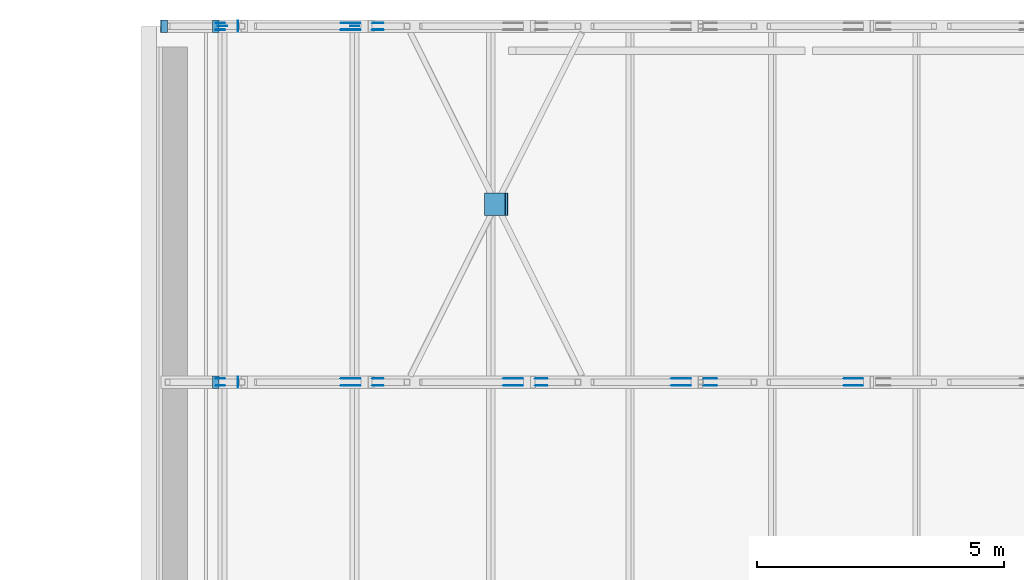
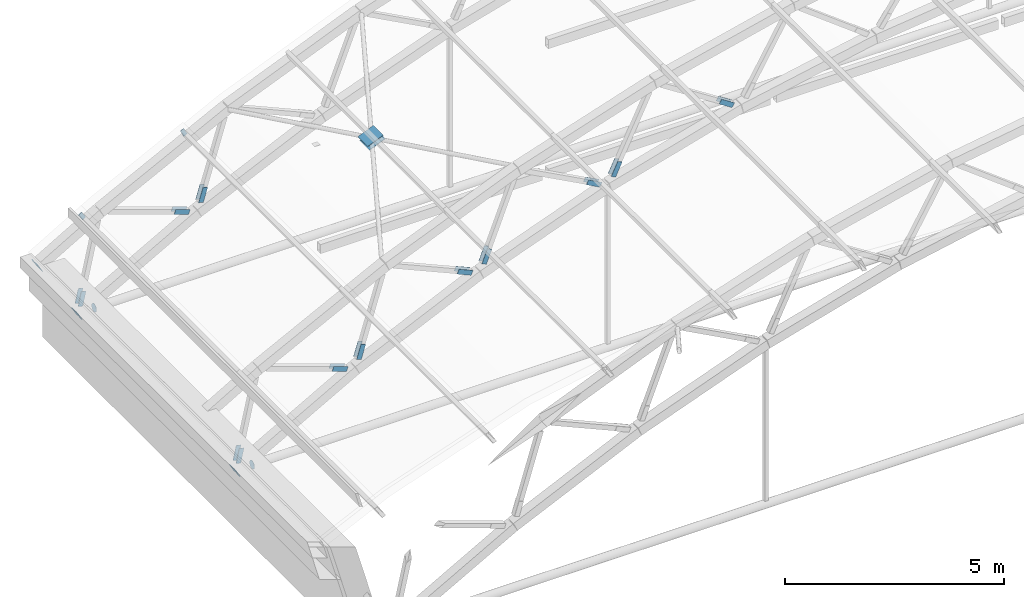
# One storey, part 90 of 127: 31 discrete accessories.
"""IFC4 building model written with IfcOpenShell, lengths in metres."""

import ifcopenshell
import ifcopenshell.guid

model = None  # the IFC model being written
_history = None  # IfcOwnerHistory: only IFC2X3 demands one
_inside = {}  # id of a spatial element -> (the spatial element, [elements in it])
_under = {}  # id of a project, library or spatial element -> (it, [spatial elements below it])
_declared = {}  # id of a project -> (the project, [libraries it declares])
_typed = {}  # id of a type object -> (the type object, [elements of that type])
_made_of = {}  # id of a material, layer set ... -> (it, [elements and type objects made of it])


def new_model(schema):
    """Start an empty IFC model of exactly this schema.

    Asked for "IFC4X3", IfcOpenShell would pick the latest addendum, in which some entities
    have other attributes; the version numbers below select the first issue.
    IFC2X3 requires an IfcOwnerHistory on every rooted entity: one is made here for all.
    """
    global model, _history
    if schema == "IFC4X3":
        model = ifcopenshell.file(schema_version=(4, 3, 0, 0))
    else:
        model = ifcopenshell.file(schema=schema)
    _inside.clear()
    _under.clear()
    _declared.clear()
    _typed.clear()
    _made_of.clear()
    _history = None
    if model.schema == "IFC2X3":
        org = make("IfcOrganization", Name="unknown")
        user = make(
            "IfcPersonAndOrganization",
            ThePerson=make("IfcPerson", FamilyName="unknown"),
            TheOrganization=org,
        )
        app = make(
            "IfcApplication",
            ApplicationDeveloper=org,
            Version="unknown",
            ApplicationFullName="unknown",
            ApplicationIdentifier="unknown",
        )
        _history = make(
            "IfcOwnerHistory",
            OwningUser=user,
            OwningApplication=app,
            ChangeAction="ADDED",
            CreationDate=0,
        )
    return model


def make(cls, **values):
    """One entity of the class cls with the attributes given. An attribute that is None is left unset."""
    return model.create_entity(
        cls, **{name: value for name, value in values.items() if value is not None}
    )


def rooted(cls, **values):
    """An entity with a GlobalId (a new one), such as an element, a storey or a relation."""
    return make(cls, GlobalId=ifcopenshell.guid.new(), OwnerHistory=_history, **values)


def si_unit(unit_type, name, prefix=None):
    """IfcSIUnit, for example si_unit("LENGTHUNIT", "METRE", prefix="MILLI")."""
    return make("IfcSIUnit", UnitType=unit_type, Prefix=prefix, Name=name)


def assignment(units):
    """IfcUnitAssignment: the units of a project."""
    return None if units is None else make("IfcUnitAssignment", Units=units)


def point(xyz):
    """IfcCartesianPoint."""
    return None if xyz is None else make("IfcCartesianPoint", Coordinates=xyz)


def direction(xyz):
    """IfcDirection."""
    return None if xyz is None else make("IfcDirection", DirectionRatios=xyz)


def frame(location, z_axis=None, x_axis=None):
    """IfcAxis2Placement3D, a coordinate frame: its origin and axes. An axis left out is left unset."""
    return make(
        "IfcAxis2Placement3D",
        Location=point(location),
        Axis=direction(z_axis),
        RefDirection=direction(x_axis),
    )


def frame_2d(location, x_axis=None):
    """IfcAxis2Placement2D, a coordinate frame in the plane: its origin and x axis."""
    return make(
        "IfcAxis2Placement2D", Location=point(location), RefDirection=direction(x_axis)
    )


def origin():
    """The frame at (0, 0, 0) with its axes left unset."""
    return frame((0.0, 0.0, 0.0))


def origin_2d():
    """The frame at (0, 0) in the plane with its x axis left unset."""
    return frame_2d((0.0, 0.0))


def place(relative_to, where):
    """IfcLocalPlacement: puts the frame where relative to a parent placement (None: the world)."""
    return make(
        "IfcLocalPlacement", PlacementRelTo=relative_to, RelativePlacement=where
    )


def context(
    kind, dimensions, precision=None, world=None, true_north=None, identifier=None
):
    """IfcGeometricRepresentationContext, for example the 3D "Model" context."""
    return make(
        "IfcGeometricRepresentationContext",
        ContextIdentifier=identifier,
        ContextType=kind,
        CoordinateSpaceDimension=dimensions,
        Precision=precision,
        WorldCoordinateSystem=world,
        TrueNorth=true_north,
    )


def subcontext(parent, identifier, kind, view, scale=None):
    """IfcGeometricRepresentationSubContext, for example "Body" below "Model"."""
    return make(
        "IfcGeometricRepresentationSubContext",
        ContextIdentifier=identifier,
        ContextType=kind,
        ParentContext=parent,
        TargetScale=scale,
        TargetView=view,
    )


def project(units=None, contexts=None):
    """IfcProject with its units and contexts."""
    return rooted(
        "IfcProject",
        Name="project",
        RepresentationContexts=contexts,
        UnitsInContext=assignment(units),
    )


def spatial(cls, under=None, at=None, **own):
    """A site, building, storey or space (cls), placed at a placement, below another one or the project."""
    s = rooted(cls, ObjectPlacement=at, **own)
    if under is not None:
        _under.setdefault(under.id(), (under, []))[1].append(s)
    return s


def profile(cls, at=None, kind="AREA", **sizes):
    """A parametric profile (cls). Its sizes go by their IFC names, for example OverallWidth=200.0."""
    return make(cls, ProfileType=kind, Position=at, **sizes)


def rectangle(**sizes):
    """IfcRectangleProfileDef."""
    return profile("IfcRectangleProfileDef", **sizes)


def circle(**sizes):
    """IfcCircleProfileDef."""
    return profile("IfcCircleProfileDef", **sizes)


def extrude(swept, where, along, depth):
    """IfcExtrudedAreaSolid: the profile swept, set in the frame where, extruded along a direction by depth."""
    return make(
        "IfcExtrudedAreaSolid",
        SweptArea=swept,
        Position=where,
        ExtrudedDirection=direction(along),
        Depth=depth,
    )


def shape(context_of_items, identifier, shape_type, items):
    """IfcShapeRepresentation: the items that make up one representation, for example the "Body"."""
    return make(
        "IfcShapeRepresentation",
        ContextOfItems=context_of_items,
        RepresentationIdentifier=identifier,
        RepresentationType=shape_type,
        Items=items,
    )


def material(Name=None, Category=None):
    """IfcMaterial."""
    return make("IfcMaterial", Name=Name, Category=Category)


def material_profile(
    of_material, cross_section, Name=None, Category=None, Priority=None
):
    """IfcMaterialProfile: a cross section and its material."""
    return make(
        "IfcMaterialProfile",
        Name=Name,
        Material=of_material,
        Profile=cross_section,
        Priority=Priority,
        Category=Category,
    )


def profile_set(profiles, Name=None, composite=None):
    """IfcMaterialProfileSet."""
    return make(
        "IfcMaterialProfileSet",
        Name=Name,
        MaterialProfiles=profiles,
        CompositeProfile=composite,
    )


def made_of(thing, what):
    """Note that an element or type object is made of a material, layer set ...; save() writes the relation."""
    if what is not None:
        _made_of.setdefault(what.id(), (what, []))[1].append(thing)
    return thing


def type_object(cls, material=None, **own):
    """A type object (cls), such as IfcWallType, which elements share."""
    return made_of(rooted(cls, **own), material)


def element(
    cls,
    number,
    at=None,
    inside=None,
    cuts=None,
    type_object=None,
    material=None,
    context=None,
    identifier="Body",
    shape_type=None,
    held_by="IfcProductDefinitionShape",
    body=None,
    shapes=None,
    **own,
):
    """One element of the class cls, such as IfcWall. Its Tag is "e" and its number.

    at: its placement. inside: the storey or other place that contains it. cuts: it is an
    opening in that element (IfcRelVoidsElement). A single representation is given by context,
    identifier, shape_type and body (its items); several are given by shapes. held_by: the class
    of the entity that holds the representations. save() writes the other relations.
    """
    e = rooted(cls, Tag="e%d" % number, ObjectPlacement=at, **own)
    if body is not None:
        shapes = [shape(context, identifier, shape_type, body)]
    if shapes is not None:
        e.Representation = make(held_by, Representations=shapes)
    if inside is not None:
        _inside.setdefault(inside.id(), (inside, []))[1].append(e)
    if cuts is not None:
        rooted(
            "IfcRelVoidsElement", RelatingBuildingElement=cuts, RelatedOpeningElement=e
        )
    if type_object is not None:
        _typed.setdefault(type_object.id(), (type_object, []))[1].append(e)
    return made_of(e, material)


def aggregate(whole, parts):
    """IfcRelAggregates: a whole, such as a stair, and the parts it consists of."""
    return rooted("IfcRelAggregates", RelatingObject=whole, RelatedObjects=parts)


def save(model, path):
    """Write the relations noted so far, then the file.

    IfcRelAggregates (storeys below a building ...), IfcRelContainedInSpatialStructure (elements
    in a storey), IfcRelDefinesByType, IfcRelAssociatesMaterial and IfcRelDeclares: one each for
    every whole, place, type object, material and project.
    """
    for whole, parts in _under.values():
        aggregate(whole, parts)
    for where, things in _inside.values():
        rooted(
            "IfcRelContainedInSpatialStructure",
            RelatedElements=things,
            RelatingStructure=where,
        )
    for kind, things in _typed.values():
        rooted("IfcRelDefinesByType", RelatedObjects=things, RelatingType=kind)
    for what, things in _made_of.values():
        rooted("IfcRelAssociatesMaterial", RelatedObjects=things, RelatingMaterial=what)
    for by, libraries in _declared.values():
        rooted("IfcRelDeclares", RelatingContext=by, RelatedDefinitions=libraries)
    model.write(path)


model = new_model("IFC4")

# Units and contexts
model_context = context("Model", 3, precision=1e-05, world=origin(), true_north=direction((0.0, 1.0)))
body_context = subcontext(model_context, "Body", "Model", "MODEL_VIEW")
ifc_project = project(units=[si_unit("LENGTHUNIT", "METRE"), si_unit("AREAUNIT", "SQUARE_METRE"), si_unit("VOLUMEUNIT", "CUBIC_METRE"), si_unit("PLANEANGLEUNIT", "RADIAN"), si_unit("MASSUNIT", "GRAM", prefix="KILO")], contexts=[model_context])

# Site, building, storey
site_placement = place(None, origin())
site = spatial("IfcSite", under=ifc_project, at=site_placement, CompositionType="ELEMENT")
building_placement = place(site_placement, origin())
building = spatial("IfcBuilding", under=site, at=building_placement, Name="Verrick Yard Athletic Hall", CompositionType="ELEMENT")
storey_placement = place(building_placement, frame((0.0, 0.0, 14.0)))
storey = spatial("IfcBuildingStorey", under=building, at=storey_placement, Name="L03", CompositionType="ELEMENT", Elevation=14.0)

# Discrete accessories
ifc_material = material(Name="Structural steel 350W (CSA G40.21)", Category="steel")
ifc_material_profile_1 = material_profile(ifc_material, rectangle(XDim=0.39990234375, YDim=0.126953125, at=origin_2d()), Name="Brace end cheek plate")
ifc_profile_set_1 = profile_set([ifc_material_profile_1], Name="Structural steel 350W (CSA G40.21)")
discrete_accessory_type_1 = type_object("IfcDiscreteAccessoryType", Name="Brace end cheek plate 400x127x12", PredefinedType="BRACKET", material=ifc_profile_set_1)
for number, where, z_axis, x_axis, name in (
    (1, (28.091064453125, 100.863525390625, 0.416015625), (0.0, 1.0, 0.0), (0.213605450371, 0.0, 0.976920012883), "Truss web end plate TB5-1 1"),
    (2, (28.091064453125, 100.736572265625, 0.416015625), (0.0, -1.0, 0.0), (0.213605450371, 0.0, 0.976920012883), "Truss web end plate TB5-1 2"),
    (3, (30.72412109375, 100.736572265625, 1.907470703125), (0.0, -1.0, 0.0), (-0.944025603302, 0.0, 0.32987218784), "Truss web end plate TB5-2 1"),
    (4, (30.72412109375, 100.863525390625, 1.907470703125), (0.0, 1.0, 0.0), (-0.944025603302, 0.0, 0.32987218784), "Truss web end plate TB5-2 2"),
    (5, (31.277587890625, 100.863525390625, 2.18896484375), (0.0, 1.0, 0.0), (0.289473335175, 0.0, 0.95718607816), "Truss web end plate TB5-3 1"),
    (6, (31.277587890625, 100.736572265625, 2.18896484375), (0.0, -1.0, 0.0), (0.289473335175, 0.0, 0.95718607816), "Truss web end plate TB5-3 2"),
    (7, (34.012939453125, 100.736572265625, 3.447509765625), (0.0, -1.0, 0.0), (-0.915285173692, 0.0, 0.402806468194), "Truss web end plate TB5-4 1"),
    (8, (34.012939453125, 100.863525390625, 3.447509765625), (0.0, 1.0, 0.0), (-0.915285173692, 0.0, 0.402806468194), "Truss web end plate TB5-4 2"),
    (9, (34.586669921875, 100.863525390625, 3.684814453125), (0.0, 1.0, 0.0), (0.363562561074, 0.0, 0.931569784925), "Truss web end plate TB5-5 1"),
    (10, (34.586669921875, 100.736572265625, 3.684814453125), (0.0, -1.0, 0.0), (0.363562561074, 0.0, 0.931569784925), "Truss web end plate TB5-5 2"),
    (11, (37.412109375, 100.736572265625, 4.725341796875), (0.0, -1.0, 0.0), (-0.880919955637, 0.0, 0.473265286876), "Truss web end plate TB5-6 1"),
    (12, (37.412109375, 100.863525390625, 4.725341796875), (0.0, 1.0, 0.0), (-0.880919955637, 0.0, 0.473265286876), "Truss web end plate TB5-6 2"),
    (13, (38.0029296875, 100.863525390625, 4.9169921875), (0.0, 1.0, 0.0), (0.435417263932, 0.0, 0.90022875219), "Truss web end plate TB5-7 1"),
    (14, (38.0029296875, 100.736572265625, 4.9169921875), (0.0, -1.0, 0.0), (0.435417263932, 0.0, 0.90022875219), "Truss web end plate TB5-7 2"),
    (15, (40.901123046875, 100.736572265625, 5.73291015625), (0.0, -1.0, 0.0), (-0.841141186405, 0.0, 0.540815591984), "Truss web end plate TB5-8 1"),
    (16, (40.901123046875, 100.863525390625, 5.73291015625), (0.0, 1.0, 0.0), (-0.841141186405, 0.0, 0.540815591984), "Truss web end plate TB5-8 2"),
    (17, (28.091064453125, 108.0634765625, 0.416015625), (0.0, 1.0, 0.0), (0.213605450371, 0.0, 0.976920012883), "Truss web end plate TB6-1 1"),
    (18, (28.091064453125, 107.9365234375, 0.416015625), (0.0, -1.0, 0.0), (0.213605450371, 0.0, 0.976920012883), "Truss web end plate TB6-1 2"),
    (19, (30.72412109375, 107.9365234375, 1.907470703125), (0.0, -1.0, 0.0), (-0.944025603302, 0.0, 0.32987218784), "Truss web end plate TB6-2 1"),
    (20, (30.72412109375, 108.0634765625, 1.907470703125), (0.0, 1.0, 0.0), (-0.944025603302, 0.0, 0.32987218784), "Truss web end plate TB6-2 2"),
    (21, (31.277587890625, 108.0634765625, 2.18896484375), (0.0, 1.0, 0.0), (0.289473335175, 0.0, 0.95718607816), "Truss web end plate TB6-3 1"),
    (22, (31.277587890625, 107.9365234375, 2.18896484375), (0.0, -1.0, 0.0), (0.289473335175, 0.0, 0.95718607816), "Truss web end plate TB6-3 2"),
):
    element("IfcDiscreteAccessory", number, at=place(storey_placement, frame(where, z_axis=z_axis, x_axis=x_axis)), inside=storey, type_object=discrete_accessory_type_1, Name=name, PredefinedType="BRACKET", context=body_context, shape_type="SweptSolid", body=[
        extrude(rectangle(XDim=0.39990234375, YDim=0.126953125, at=origin_2d()), origin(), (0.0, 0.0, 1.0), 0.011962890625),
    ])
ifc_material_profile_2 = material_profile(ifc_material, rectangle(XDim=0.449951171875, YDim=0.449951171875, at=origin_2d()), Name="Brace node plate")
ifc_profile_set_2 = profile_set([ifc_material_profile_2], Name="Structural steel 350W (CSA G40.21)")
discrete_accessory_type_2 = type_object("IfcDiscreteAccessoryType", Name="Brace node plate 450x450x12", PredefinedType="BRACKET", material=ifc_profile_set_2)
for number, where, z_axis, x_axis, name in (
    (23, (33.6953125, 104.39990234375, 5.028076171875), (0.38897203704, 0.0, -0.921249561411), (0.0, 1.0, 0.0), "Brace node plate B5-1 1"),
    (24, (33.651611328125, 104.39990234375, 5.1337890625), (-0.38897203704, 0.0, 0.921249561411), (0.0, -1.0, 0.0), "Brace node plate B5-1 2"),
):
    element("IfcDiscreteAccessory", number, at=place(storey_placement, frame(where, z_axis=z_axis, x_axis=x_axis)), inside=storey, type_object=discrete_accessory_type_2, Name=name, PredefinedType="BRACKET", context=body_context, shape_type="SweptSolid", body=[
        extrude(rectangle(XDim=0.449951171875, YDim=0.449951171875, at=origin_2d()), origin(), (0.0, 0.0, 1.0), 0.011962890625),
    ])
ifc_material_profile_3 = material_profile(ifc_material, rectangle(XDim=0.1015625, YDim=0.203125, at=origin_2d()), Name="STR End cap plate 203x102x9.5")
ifc_profile_set_3 = profile_set([ifc_material_profile_3], Name="Structural steel 350W (CSA G40.21)")
discrete_accessory_type_3 = type_object("IfcDiscreteAccessoryType", Name="STR End cap plate 203x102x9.5", PredefinedType="BRACKET", material=ifc_profile_set_3)
for number, where, z_axis, x_axis, name in (
    (25, (30.81103515625, 108.0, 4.046875), (0.0, 1.0, 0.0), (-0.891352741199, 0.0, -0.453310369126), "End cap HB-PU-B-5-2 B"),
    (26, (28.1357421875, 108.0, 2.660888671875), (0.0, 1.0, 0.0), (-0.86316809178, 0.0, -0.504916671673), "End cap HB-PU-B-5-1 B"),
):
    element("IfcDiscreteAccessory", number, at=place(storey_placement, frame(where, z_axis=z_axis, x_axis=x_axis)), inside=storey, type_object=discrete_accessory_type_3, Name=name, PredefinedType="BRACKET", context=body_context, shape_type="SweptSolid", body=[
        extrude(rectangle(XDim=0.1015625, YDim=0.203125, at=origin_2d()), origin(), (0.0, 0.0, 1.0), 0.010009765625),
    ])
ifc_material_profile_4 = material_profile(ifc_material, rectangle(XDim=0.25390625, YDim=0.25390625, at=origin_2d()), Name="STR End cap plate 254x254x9.5")
ifc_profile_set_4 = profile_set([ifc_material_profile_4], Name="Structural steel 350W (CSA G40.21)")
discrete_accessory_type_4 = type_object("IfcDiscreteAccessoryType", Name="STR End cap plate 254x254x9.5", PredefinedType="BRACKET", material=ifc_profile_set_4)
for number, where, z_axis, x_axis, name in (
    (27, (26.947998046875, 108.0, 1.701171875), (0.857492925713, 0.0, 0.514495755428), (0.0, 1.0, 0.0), "End cap Truss TB6 top chord 1 A"),
    (28, (27.9912109375, 108.0, -0.0048828125), (0.874157276122, 0.0, 0.485642931179), (0.0, 1.0, 0.0), "End cap Truss TB6 bottom chord 1 A"),
    (29, (27.9912109375, 100.800048828125, -0.0048828125), (0.874157276122, 0.0, 0.485642931179), (0.0, 1.0, 0.0), "End cap Truss TB5 bottom chord 1 A"),
):
    element("IfcDiscreteAccessory", number, at=place(storey_placement, frame(where, z_axis=z_axis, x_axis=x_axis)), inside=storey, type_object=discrete_accessory_type_4, Name=name, PredefinedType="BRACKET", context=body_context, shape_type="SweptSolid", body=[
        extrude(rectangle(XDim=0.25390625, YDim=0.25390625, at=origin_2d()), origin(), (0.0, 0.0, 1.0), 0.010009765625),
    ])
ifc_material_profile_5 = material_profile(ifc_material, circle(Radius=0.109619140625, at=origin_2d()), Name="STR End cap plate 219x13")
ifc_profile_set_5 = profile_set([ifc_material_profile_5], Name="Structural steel 350W (CSA G40.21)")
discrete_accessory_type_5 = type_object("IfcDiscreteAccessoryType", Name="STR End cap plate 219x13", PredefinedType="BRACKET", material=ifc_profile_set_5)
for number, where, z_axis, x_axis, name in (
    (30, (28.4462890625, 108.0, 0.0), (1.0, 0.0, 0.0), (0.0, 1.0, 0.0), "End cap Truss TB6 tie 1 A"),
    (31, (28.4462890625, 100.800048828125, 0.0), (1.0, 0.0, 0.0), (0.0, 1.0, 0.0), "End cap Truss TB5 tie 1 A"),
):
    element("IfcDiscreteAccessory", number, at=place(storey_placement, frame(where, z_axis=z_axis, x_axis=x_axis)), inside=storey, type_object=discrete_accessory_type_5, Name=name, PredefinedType="BRACKET", context=body_context, shape_type="SweptSolid", body=[
        extrude(circle(Radius=0.109619140625, at=origin_2d()), origin(), (0.0, 0.0, 1.0), 0.010009765625),
    ])

save(model, "model.ifc")
